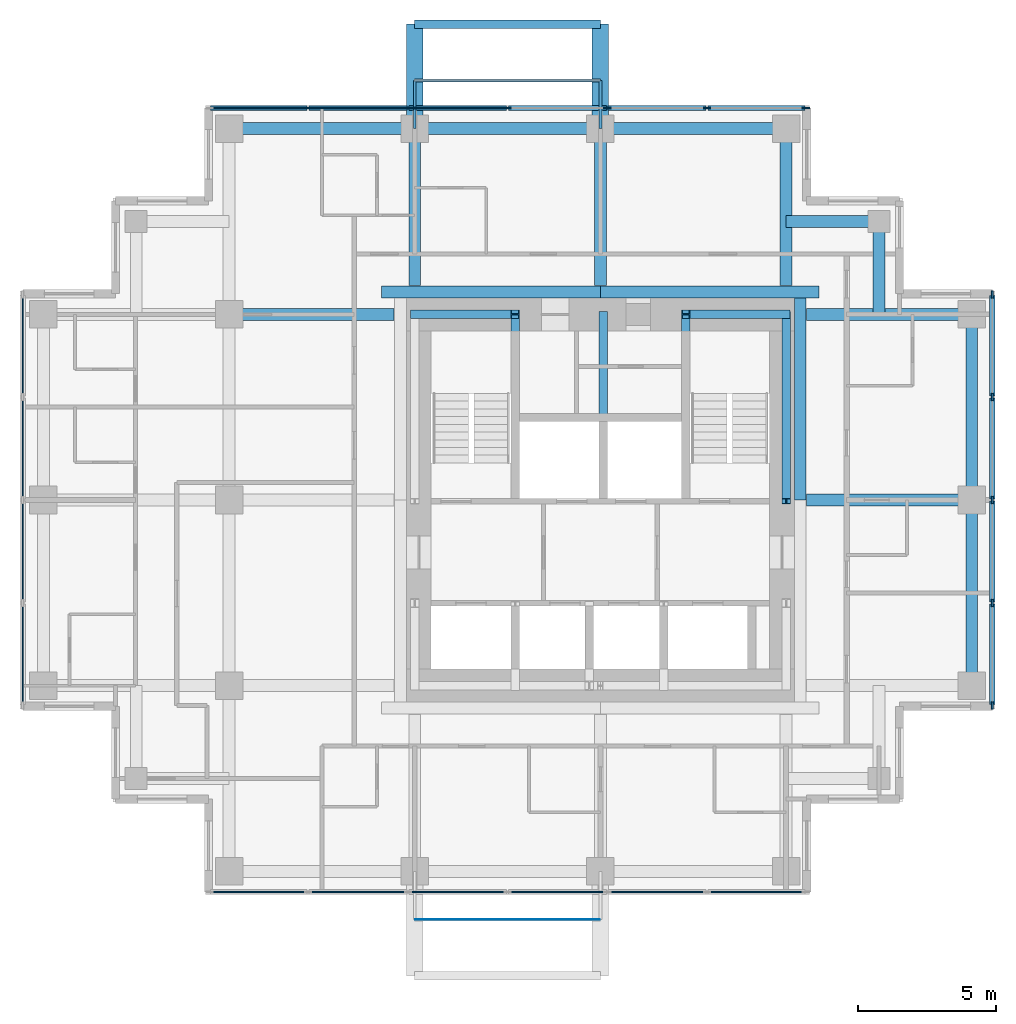
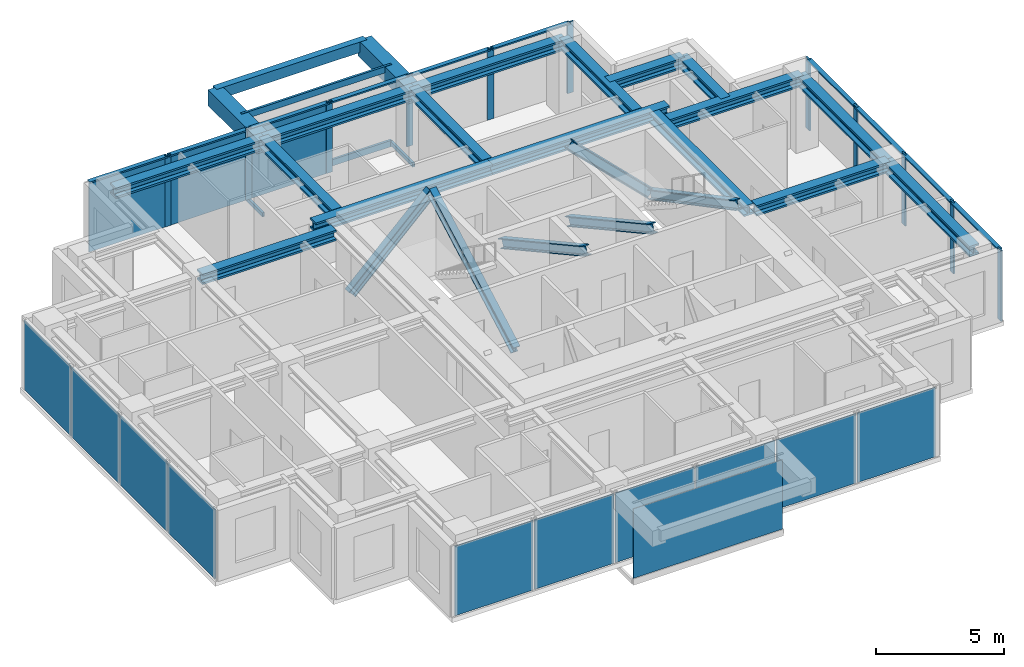
# One storey, part 2 of 8: 31 members, 19 beams, 14 plates, 4 elements without a shape of their own.
"""IFC4 building model written with IfcOpenShell, lengths in metres."""

from ifc_helpers import new_model, si_unit, direction, frame, origin, origin_2d, place, context, subcontext, project, spatial, rectangle, hollow_rectangle, i_section, extrude, material, layer, layer_set, material_profile, profile_set, type_object, element, aggregate, save


model = new_model("IFC4")

# Units and contexts
model_context = context("Model", 3, precision=1e-05, world=origin(), true_north=direction((0.0, 1.0)))
body_context = subcontext(model_context, "Body", "Model", "MODEL_VIEW")
ifc_project = project(units=[si_unit("LENGTHUNIT", "METRE"), si_unit("AREAUNIT", "SQUARE_METRE"), si_unit("VOLUMEUNIT", "CUBIC_METRE"), si_unit("PLANEANGLEUNIT", "RADIAN"), si_unit("MASSUNIT", "GRAM", prefix="KILO")], contexts=[model_context])

# Site, building, storey
site_placement = place(None, origin())
site = spatial("IfcSite", under=ifc_project, at=site_placement, CompositionType="ELEMENT")
building_placement = place(site_placement, origin())
building = spatial("IfcBuilding", under=site, at=building_placement, Name="Nyansa Garden Tower", CompositionType="ELEMENT")
storey_placement = place(building_placement, frame((0.0, 0.0, 229.5)))
storey = spatial("IfcBuildingStorey", under=building, at=storey_placement, Name="L62", CompositionType="ELEMENT", Elevation=229.5)

# Beams
ifc_material_1 = material(Name="Concrete C70/85", Category="concrete")
ifc_material_profile_1 = material_profile(ifc_material_1, rectangle(XDim=0.60009765625, YDim=0.75, at=origin_2d()), Name="RC 600x750")
ifc_profile_set_1 = profile_set([ifc_material_profile_1], Name="Concrete C70/85")
beam_type_1 = type_object("IfcBeamType", Name="Balcony cantilever beam CB1 RC 600x750", PredefinedType="BEAM", material=ifc_profile_set_1)
for number, where, z_axis, x_axis, name in (
    (1, (13.5, 33.75, 2.985107421875), (0.0, 1.0, 0.0), (-1.0, 0.0, 0.0), "Balcony cantilever beam L63"),
    (2, (20.25, 33.75, 2.985107421875), (0.0, 1.0, 0.0), (-1.0, 0.0, 0.0), "Balcony cantilever beam L63"),
):
    element("IfcBeam", number, at=place(storey_placement, frame(where, z_axis=z_axis, x_axis=x_axis)), inside=storey, type_object=beam_type_1, Name=name, PredefinedType="BEAM", context=body_context, shape_type="SweptSolid", body=[
        extrude(rectangle(XDim=0.60009765625, YDim=0.75, at=origin_2d()), origin(), (0.0, 0.0, 1.0), 3.800048828125),
    ])
ifc_material_2 = material(Name="Concrete C70/85", Category="concrete")
ifc_material_profile_2 = material_profile(ifc_material_2, rectangle(XDim=0.300048828125, YDim=0.5, at=origin_2d()), Name="RC 300x500")
ifc_profile_set_2 = profile_set([ifc_material_profile_2], Name="Concrete C70/85")
beam_type_2 = type_object("IfcBeamType", Name="Balcony edge beam BE1 RC 300x500", PredefinedType="BEAM", material=ifc_profile_set_2)
beam_1_placement = place(storey_placement, frame((13.5, 37.550048828125, 3.110107421875), z_axis=(1.0, 0.0, 0.0), x_axis=(0.0, 1.0, 0.0)))
element("IfcBeam", 3, at=beam_1_placement, inside=storey, type_object=beam_type_2, Name="Balcony edge beam L63", PredefinedType="BEAM", context=body_context, shape_type="SweptSolid", body=[
    extrude(rectangle(XDim=0.300048828125, YDim=0.5, at=origin_2d()), origin(), (0.0, 0.0, 1.0), 6.75),
])

# Curtain wall, members
ifc_material_3 = material(Name="Black anodised aluminium, dark tinted double glazing", Category="aluminium")
curtain_wall_type = type_object("IfcCurtainWallType", Name="Inner skin curtain wall ISW-D", PredefinedType="USERDEFINED", material=ifc_material_3)
curtain_wall_1_placement = place(storey_placement, origin())
curtain_wall_1 = element("IfcCurtainWall", 4, at=curtain_wall_1_placement, inside=storey, type_object=curtain_wall_type, Name="Inner skin curtain wall L62 E", ObjectType="UNITISED CURTAIN WALL", PredefinedType="USERDEFINED")
ifc_material_4 = material(Name="Black anodised aluminium", Category="aluminium")
ifc_material_profile_3 = material_profile(ifc_material_4, rectangle(XDim=0.070068359375, YDim=0.27490234375, at=origin_2d()), Name="Mullion 275x70")
ifc_profile_set_3 = profile_set([ifc_material_profile_3], Name="Black anodised aluminium")
member_type_1 = type_object("IfcMemberType", Name="Mullion ISW-D 275x70", PredefinedType="MULLION", material=ifc_profile_set_3)
member_1_placement = place(storey_placement, frame((34.5, 12.784912109375, 0.0), z_axis=(0.0, 0.0, 1.0), x_axis=(-1.0, 0.0, 0.0)))
member_1 = element("IfcMember", 5, at=member_1_placement, type_object=member_type_1, Name="ISW-D mullion 1", PredefinedType="MULLION", context=body_context, shape_type="SweptSolid", body=[
    extrude(rectangle(XDim=0.070068359375, YDim=0.27490234375, at=origin_2d()), origin(), (0.0, 0.0, 1.0), 3.375),
])
member_2_placement = place(storey_placement, frame((34.5, 16.5, 0.0), z_axis=(0.0, 0.0, 1.0), x_axis=(-1.0, 0.0, 0.0)))
member_2 = element("IfcMember", 6, at=member_2_placement, type_object=member_type_1, Name="ISW-D mullion 2", PredefinedType="MULLION", context=body_context, shape_type="SweptSolid", body=[
    extrude(rectangle(XDim=0.070068359375, YDim=0.27490234375, at=origin_2d()), origin(), (0.0, 0.0, 1.0), 3.375),
])
member_3_placement = place(storey_placement, frame((34.5, 20.25, 0.0), z_axis=(0.0, 0.0, 1.0), x_axis=(-1.0, 0.0, 0.0)))
member_3 = element("IfcMember", 7, at=member_3_placement, type_object=member_type_1, Name="ISW-D mullion 3", PredefinedType="MULLION", context=body_context, shape_type="SweptSolid", body=[
    extrude(rectangle(XDim=0.070068359375, YDim=0.27490234375, at=origin_2d()), origin(), (0.0, 0.0, 1.0), 3.375),
])
member_4_placement = place(storey_placement, frame((34.5, 24.0, 0.0), z_axis=(0.0, 0.0, 1.0), x_axis=(-1.0, 0.0, 0.0)))
member_4 = element("IfcMember", 8, at=member_4_placement, type_object=member_type_1, Name="ISW-D mullion 4", PredefinedType="MULLION", context=body_context, shape_type="SweptSolid", body=[
    extrude(rectangle(XDim=0.070068359375, YDim=0.27490234375, at=origin_2d()), origin(), (0.0, 0.0, 1.0), 3.375),
])
member_5_placement = place(storey_placement, frame((34.5, 27.715087890625, 0.0), z_axis=(0.0, 0.0, 1.0), x_axis=(-1.0, 0.0, 0.0)))
member_5 = element("IfcMember", 9, at=member_5_placement, type_object=member_type_1, Name="ISW-D mullion 5", PredefinedType="MULLION", context=body_context, shape_type="SweptSolid", body=[
    extrude(rectangle(XDim=0.070068359375, YDim=0.27490234375, at=origin_2d()), origin(), (0.0, 0.0, 1.0), 3.375),
])

curtain_wall_2_placement = place(storey_placement, origin())
curtain_wall_2 = element("IfcCurtainWall", 10, at=curtain_wall_2_placement, inside=storey, type_object=curtain_wall_type, Name="Inner skin curtain wall L62 N", ObjectType="UNITISED CURTAIN WALL", PredefinedType="USERDEFINED")
member_6_placement = place(storey_placement, frame((27.715087890625, 34.5, 0.0), z_axis=(0.0, 0.0, 1.0), x_axis=(0.0, -1.0, 0.0)))
member_6 = element("IfcMember", 11, at=member_6_placement, type_object=member_type_1, Name="ISW-D mullion 1", PredefinedType="MULLION", context=body_context, shape_type="SweptSolid", body=[
    extrude(rectangle(XDim=0.070068359375, YDim=0.27490234375, at=origin_2d()), origin(), (0.0, 0.0, 1.0), 3.375),
])
member_7_placement = place(storey_placement, frame((24.125, 34.5, 0.0), z_axis=(0.0, 0.0, 1.0), x_axis=(0.0, -1.0, 0.0)))
member_7 = element("IfcMember", 12, at=member_7_placement, type_object=member_type_1, Name="ISW-D mullion 2", PredefinedType="MULLION", context=body_context, shape_type="SweptSolid", body=[
    extrude(rectangle(XDim=0.070068359375, YDim=0.27490234375, at=origin_2d()), origin(), (0.0, 0.0, 1.0), 3.375),
])
member_8_placement = place(storey_placement, frame((20.5, 34.5, 0.0), z_axis=(0.0, 0.0, 1.0), x_axis=(0.0, -1.0, 0.0)))
member_8 = element("IfcMember", 13, at=member_8_placement, type_object=member_type_1, Name="ISW-D mullion 3", PredefinedType="MULLION", context=body_context, shape_type="SweptSolid", body=[
    extrude(rectangle(XDim=0.070068359375, YDim=0.27490234375, at=origin_2d()), origin(), (0.0, 0.0, 1.0), 3.375),
])
member_9_placement = place(storey_placement, frame((16.875, 34.5, 0.0), z_axis=(0.0, 0.0, 1.0), x_axis=(0.0, -1.0, 0.0)))
member_9 = element("IfcMember", 14, at=member_9_placement, type_object=member_type_1, Name="ISW-D mullion 4", PredefinedType="MULLION", context=body_context, shape_type="SweptSolid", body=[
    extrude(rectangle(XDim=0.070068359375, YDim=0.27490234375, at=origin_2d()), origin(), (0.0, 0.0, 1.0), 3.375),
])
member_10_placement = place(storey_placement, frame((13.25, 34.5, 0.0), z_axis=(0.0, 0.0, 1.0), x_axis=(0.0, -1.0, 0.0)))
member_10 = element("IfcMember", 15, at=member_10_placement, type_object=member_type_1, Name="ISW-D mullion 5", PredefinedType="MULLION", context=body_context, shape_type="SweptSolid", body=[
    extrude(rectangle(XDim=0.070068359375, YDim=0.27490234375, at=origin_2d()), origin(), (0.0, 0.0, 1.0), 3.375),
])
member_11_placement = place(storey_placement, frame((9.625, 34.5, 0.0), z_axis=(0.0, 0.0, 1.0), x_axis=(0.0, -1.0, 0.0)))
member_11 = element("IfcMember", 16, at=member_11_placement, type_object=member_type_1, Name="ISW-D mullion 6", PredefinedType="MULLION", context=body_context, shape_type="SweptSolid", body=[
    extrude(rectangle(XDim=0.070068359375, YDim=0.27490234375, at=origin_2d()), origin(), (0.0, 0.0, 1.0), 3.375),
])

# Members
ifc_material_5 = material(Name="Steel S355, black powder coated", Category="steel")
ifc_material_profile_4 = material_profile(ifc_material_5, hollow_rectangle(XDim=0.10009765625, YDim=0.199951171875, WallThickness=0.008056640625, at=origin_2d()), Name="RHS 200x100x8")
ifc_profile_set_4 = profile_set([ifc_material_profile_4], Name="Steel S355, black powder coated")
member_type_2 = type_object("IfcMemberType", Name="Outer skin bracket arm RHS 200x100x8", PredefinedType="USERDEFINED", material=ifc_profile_set_4)
for number, where, z_axis, x_axis, name in (
    (17, (13.5, 33.75, -0.375), (0.0, 1.0, 0.0), (-1.0, 0.0, 0.0), "Outer skin bracket arm"),
    (18, (20.25, 33.75, -0.375), (0.0, 1.0, 0.0), (-1.0, 0.0, 0.0), "Outer skin bracket arm"),
):
    element("IfcMember", number, at=place(storey_placement, frame(where, z_axis=z_axis, x_axis=x_axis)), inside=storey, type_object=member_type_2, Name=name, ObjectType="OUTER SKIN BRACKET", PredefinedType="USERDEFINED", context=body_context, shape_type="SweptSolid", body=[
        extrude(hollow_rectangle(XDim=0.10009765625, YDim=0.199951171875, WallThickness=0.008056640625, at=origin_2d()), origin(), (0.0, 0.0, 1.0), 1.75),
    ])
ifc_material_6 = material(Name="Steel S355, black powder coated", Category="steel")
ifc_material_profile_5 = material_profile(ifc_material_6, hollow_rectangle(XDim=0.10009765625, YDim=0.300048828125, WallThickness=0.010009765625, at=origin_2d()), Name="RHS 300x100x10")
ifc_profile_set_5 = profile_set([ifc_material_profile_5], Name="Steel S355, black powder coated")
member_type_3 = type_object("IfcMemberType", Name="Outer skin rail RHS 300x100x10", PredefinedType="USERDEFINED", material=ifc_profile_set_5)
for number, where, z_axis, x_axis, name in (
    (19, (13.5, 35.5, -0.375), (1.0, 0.0, 0.0), (0.0, 1.0, 0.0), "Outer skin rail L62"),
    (20, (13.5, 35.5, 3.22509765625), (1.0, 0.0, 0.0), (0.0, 1.0, 0.0), "Outer skin rail L62 head"),
):
    element("IfcMember", number, at=place(storey_placement, frame(where, z_axis=z_axis, x_axis=x_axis)), inside=storey, type_object=member_type_3, Name=name, ObjectType="OUTER SKIN RAIL", PredefinedType="USERDEFINED", context=body_context, shape_type="SweptSolid", body=[
        extrude(hollow_rectangle(XDim=0.10009765625, YDim=0.300048828125, WallThickness=0.010009765625, at=origin_2d()), origin(), (0.0, 0.0, 1.0), 6.75),
    ])
ifc_material_7 = material(Name="Steel S355", Category="steel")
ifc_material_profile_6 = material_profile(ifc_material_7, i_section(OverallWidth=0.306884765625, OverallDepth=0.431884765625, WebThickness=0.02099609375, FlangeThickness=0.0400390625, FilletRadius=0.027099609375, at=origin_2d()), Name="HE 400 M")
ifc_profile_set_6 = profile_set([ifc_material_profile_6], Name="Steel S355")
member_type_4 = type_object("IfcMemberType", Name="Perimeter brace HE 400 M", PredefinedType="BRACE", material=ifc_profile_set_6)
for number, where, z_axis, x_axis, name in (
    (21, (13.5, 27.0, 0.0), (0.711947531702, 0.0, 0.702232662373), (0.0, 1.0, 0.0), "Core brace CN3 L62"),
    (22, (27.0, 27.0, 0.0), (-0.711947531702, 0.0, 0.702232662373), (0.0, -1.0, 0.0), "Core brace CN4 L62"),
):
    element("IfcMember", number, at=place(storey_placement, frame(where, z_axis=z_axis, x_axis=x_axis)), inside=storey, type_object=member_type_4, Name=name, PredefinedType="BRACE", context=body_context, shape_type="SweptSolid", body=[
        extrude(i_section(OverallWidth=0.306884765625, OverallDepth=0.431884765625, WebThickness=0.02099609375, FlangeThickness=0.0400390625, FilletRadius=0.027099609375, at=origin_2d()), origin(), (0.0, 0.0, 1.0), 5.126708984375),
    ])
member_12_placement = place(storey_placement, frame((27.0, 27.0, 0.0), z_axis=(0.0, -0.883784057226, 0.467895009796), x_axis=(1.0, 0.0, 0.0)))
element("IfcMember", 23, at=member_12_placement, inside=storey, type_object=member_type_4, Name="Core brace CE8 L62", PredefinedType="BRACE", context=body_context, shape_type="SweptSolid", body=[
    extrude(i_section(OverallWidth=0.306884765625, OverallDepth=0.431884765625, WebThickness=0.02099609375, FlangeThickness=0.0400390625, FilletRadius=0.027099609375, at=origin_2d()), origin(), (0.0, 0.0, 1.0), 7.6943359375),
])
for number, where, z_axis, x_axis, name in (
    (24, (17.14990234375, 20.449951171875, 0.0), (0.0, 0.876353113771, 0.481669201822), (-1.0, 0.0, 0.0), "Core brace CWS9 L62"),
    (25, (23.35009765625, 27.0, 0.0), (0.0, -0.876353113771, 0.481669201822), (1.0, 0.0, 0.0), "Core brace CES10 L62"),
    (26, (20.35009765625, 27.0, 0.0), (0.0, -0.876353113771, 0.481669201822), (1.0, 0.0, 0.0), "Core brace CNW14 L62"),
):
    element("IfcMember", number, at=place(storey_placement, frame(where, z_axis=z_axis, x_axis=x_axis)), inside=storey, type_object=member_type_4, Name=name, PredefinedType="BRACE", context=body_context, shape_type="SweptSolid", body=[
        extrude(i_section(OverallWidth=0.306884765625, OverallDepth=0.431884765625, WebThickness=0.02099609375, FlangeThickness=0.0400390625, FilletRadius=0.027099609375, at=origin_2d()), origin(), (0.0, 0.0, 1.0), 7.47412109375),
    ])

# Beams
ifc_material_8 = material(Name="Steel S355", Category="steel")
ifc_material_profile_7 = material_profile(ifc_material_8, i_section(OverallWidth=0.431884765625, OverallDepth=0.498046875, WebThickness=0.0556640625, FlangeThickness=0.0888671875, FilletRadius=0.014892578125, at=origin_2d()), Name="HD 400x744")
ifc_profile_set_7 = profile_set([ifc_material_profile_7], Name="Steel S355")
beam_type_3 = type_object("IfcBeamType", Name="Steel beam SBD1-744 HD 400x744", PredefinedType="BEAM", material=ifc_profile_set_7)
beam_2_placement = place(storey_placement, frame((6.75, 27.0, 3.1259765625), z_axis=(1.0, 0.0, 0.0), x_axis=(0.0, 1.0, 0.0)))
element("IfcBeam", 27, at=beam_2_placement, inside=storey, type_object=beam_type_3, Name="Steel beam 3/H-12.750/H L63", PredefinedType="BEAM", context=body_context, shape_type="SweptSolid", body=[
    extrude(i_section(OverallWidth=0.431884765625, OverallDepth=0.498046875, WebThickness=0.0556640625, FlangeThickness=0.0888671875, FilletRadius=0.014892578125, at=origin_2d()), origin(), (0.0, 0.0, 1.0), 6.0),
])
for number, where, z_axis, x_axis, name in (
    (28, (13.5, 28.050048828125, 3.1259765625), (0.0, 1.0, 0.0), (-1.0, 0.0, 0.0), "Steel beam 4/28.050-4/J L63"),
    (29, (20.25, 28.050048828125, 3.1259765625), (0.0, 1.0, 0.0), (-1.0, 0.0, 0.0), "Steel beam 5/28.050-5/J L63"),
):
    element("IfcBeam", number, at=place(storey_placement, frame(where, z_axis=z_axis, x_axis=x_axis)), inside=storey, type_object=beam_type_3, Name=name, PredefinedType="BEAM", context=body_context, shape_type="SweptSolid", body=[
        extrude(i_section(OverallWidth=0.431884765625, OverallDepth=0.498046875, WebThickness=0.0556640625, FlangeThickness=0.0888671875, FilletRadius=0.014892578125, at=origin_2d()), origin(), (0.0, 0.0, 1.0), 5.699951171875),
    ])
beam_3_placement = place(storey_placement, frame((27.75, 20.25, 3.1259765625), z_axis=(1.0, 0.0, 0.0), x_axis=(0.0, 1.0, 0.0)))
element("IfcBeam", 30, at=beam_3_placement, inside=storey, type_object=beam_type_3, Name="Steel beam 27.750/G-7/G L63", PredefinedType="BEAM", context=body_context, shape_type="SweptSolid", body=[
    extrude(i_section(OverallWidth=0.431884765625, OverallDepth=0.498046875, WebThickness=0.0556640625, FlangeThickness=0.0888671875, FilletRadius=0.014892578125, at=origin_2d()), origin(), (0.0, 0.0, 1.0), 6.0),
])
beam_4_placement = place(storey_placement, frame((27.0, 28.050048828125, 3.1259765625), z_axis=(0.0, 1.0, 0.0), x_axis=(-1.0, 0.0, 0.0)))
element("IfcBeam", 31, at=beam_4_placement, inside=storey, type_object=beam_type_3, Name="Steel beam 6/28.050-6/J L63", PredefinedType="BEAM", context=body_context, shape_type="SweptSolid", body=[
    extrude(i_section(OverallWidth=0.431884765625, OverallDepth=0.498046875, WebThickness=0.0556640625, FlangeThickness=0.0888671875, FilletRadius=0.014892578125, at=origin_2d()), origin(), (0.0, 0.0, 1.0), 5.699951171875),
])
beam_5_placement = place(storey_placement, frame((27.75, 27.0, 3.1259765625), z_axis=(1.0, 0.0, 0.0), x_axis=(0.0, 1.0, 0.0)))
element("IfcBeam", 32, at=beam_5_placement, inside=storey, type_object=beam_type_3, Name="Steel beam 27.750/H-7/H L63", PredefinedType="BEAM", context=body_context, shape_type="SweptSolid", body=[
    extrude(i_section(OverallWidth=0.431884765625, OverallDepth=0.498046875, WebThickness=0.0556640625, FlangeThickness=0.0888671875, FilletRadius=0.014892578125, at=origin_2d()), origin(), (0.0, 0.0, 1.0), 6.0),
])
ifc_material_9 = material(Name="Steel S355", Category="steel")
ifc_material_profile_8 = material_profile(ifc_material_9, i_section(OverallWidth=0.431884765625, OverallDepth=0.498046875, WebThickness=0.0556640625, FlangeThickness=0.0888671875, FilletRadius=0.014892578125, at=origin_2d()), Name="HD 400x744")
ifc_profile_set_8 = profile_set([ifc_material_profile_8], Name="Steel S355")
beam_type_4 = type_object("IfcBeamType", Name="Steel beam SEBD-744 HD 400x744", PredefinedType="BEAM", material=ifc_profile_set_8)
for number, where, z_axis, x_axis, name in (
    (33, (6.75, 33.75, 3.1259765625), (1.0, 0.0, 0.0), (0.0, 1.0, 0.0), "Steel edge beam 3/J-4/J L63"),
    (34, (13.5, 33.75, 3.1259765625), (1.0, 0.0, 0.0), (0.0, 1.0, 0.0), "Steel edge beam 4/J-5/J L63"),
    (35, (20.25, 33.75, 3.1259765625), (1.0, 0.0, 0.0), (0.0, 1.0, 0.0), "Steel edge beam 5/J-6/J L63"),
    (36, (33.75, 13.5, 3.1259765625), (0.0, 1.0, 0.0), (-1.0, 0.0, 0.0), "Steel edge beam 7/F-7/G L63"),
    (37, (33.75, 20.25, 3.1259765625), (0.0, 1.0, 0.0), (-1.0, 0.0, 0.0), "Steel edge beam 7/G-7/H L63"),
):
    element("IfcBeam", number, at=place(storey_placement, frame(where, z_axis=z_axis, x_axis=x_axis)), inside=storey, type_object=beam_type_4, Name=name, PredefinedType="BEAM", context=body_context, shape_type="SweptSolid", body=[
        extrude(i_section(OverallWidth=0.431884765625, OverallDepth=0.498046875, WebThickness=0.0556640625, FlangeThickness=0.0888671875, FilletRadius=0.014892578125, at=origin_2d()), origin(), (0.0, 0.0, 1.0), 6.75),
    ])
ifc_material_10 = material(Name="Steel S355", Category="steel")
ifc_material_profile_9 = material_profile(ifc_material_10, i_section(OverallWidth=0.431884765625, OverallDepth=0.498046875, WebThickness=0.0556640625, FlangeThickness=0.0888671875, FilletRadius=0.014892578125, at=origin_2d()), Name="HD 400x744")
ifc_profile_set_9 = profile_set([ifc_material_profile_9], Name="Steel S355")
beam_type_5 = type_object("IfcBeamType", Name="Steel beam SLB1-744 HD 400x744", PredefinedType="BEAM", material=ifc_profile_set_9)
beam_6_placement = place(storey_placement, frame((27.51611328125, 20.25, 3.1259765625), z_axis=(0.0, 1.0, 0.0), x_axis=(-1.0, 0.0, 0.0)))
element("IfcBeam", 38, at=beam_6_placement, inside=storey, type_object=beam_type_5, Name="Steel core ledger beam E.2 L63", PredefinedType="BEAM", context=body_context, shape_type="SweptSolid", body=[
    extrude(i_section(OverallWidth=0.431884765625, OverallDepth=0.498046875, WebThickness=0.0556640625, FlangeThickness=0.0888671875, FilletRadius=0.014892578125, at=origin_2d()), origin(), (0.0, 0.0, 1.0), 7.35009765625),
])
for number, where, z_axis, x_axis, name in (
    (39, (28.199951171875, 27.81591796875, 3.1259765625), (-1.0, 0.0, 0.0), (0.0, -1.0, 0.0), "Steel core ledger beam N.1 L63"),
    (40, (20.25, 27.81591796875, 3.1259765625), (-1.0, 0.0, 0.0), (0.0, -1.0, 0.0), "Steel core ledger beam N.2 L63"),
):
    element("IfcBeam", number, at=place(storey_placement, frame(where, z_axis=z_axis, x_axis=x_axis)), inside=storey, type_object=beam_type_5, Name=name, PredefinedType="BEAM", context=body_context, shape_type="SweptSolid", body=[
        extrude(i_section(OverallWidth=0.431884765625, OverallDepth=0.498046875, WebThickness=0.0556640625, FlangeThickness=0.0888671875, FilletRadius=0.014892578125, at=origin_2d()), origin(), (0.0, 0.0, 1.0), 7.949951171875),
    ])
ifc_material_11 = material(Name="Steel S355", Category="steel")
ifc_material_profile_10 = material_profile(ifc_material_11, i_section(OverallWidth=0.431884765625, OverallDepth=0.498046875, WebThickness=0.0556640625, FlangeThickness=0.0888671875, FilletRadius=0.014892578125, at=origin_2d()), Name="HD 400x744")
ifc_profile_set_10 = profile_set([ifc_material_profile_10], Name="Steel S355")
beam_type_6 = type_object("IfcBeamType", Name="Steel beam SSB1-744 HD 400x744", PredefinedType="BEAM", material=ifc_profile_set_10)
for number, where, z_axis, x_axis, name in (
    (41, (30.375, 30.375, 3.1259765625), (0.0, -1.0, 0.0), (1.0, 0.0, 0.0), "Steel step beam 30.375/30.375 L63"),
    (42, (30.375, 30.375, 3.1259765625), (-1.0, 0.0, 0.0), (0.0, -1.0, 0.0), "Steel step beam 30.375/30.375 L63"),
):
    element("IfcBeam", number, at=place(storey_placement, frame(where, z_axis=z_axis, x_axis=x_axis)), inside=storey, type_object=beam_type_6, Name=name, PredefinedType="BEAM", context=body_context, shape_type="SweptSolid", body=[
        extrude(i_section(OverallWidth=0.431884765625, OverallDepth=0.498046875, WebThickness=0.0556640625, FlangeThickness=0.0888671875, FilletRadius=0.014892578125, at=origin_2d()), origin(), (0.0, 0.0, 1.0), 3.375),
    ])

# Member
ifc_material_12 = material(Name="Black anodised aluminium", Category="aluminium")
ifc_material_profile_11 = material_profile(ifc_material_12, rectangle(XDim=0.195068359375, YDim=0.070068359375, at=origin_2d()), Name="Transom 195x70")
ifc_profile_set_11 = profile_set([ifc_material_profile_11], Name="Black anodised aluminium")
member_type_5 = type_object("IfcMemberType", Name="Transom ISW-D 195x70", PredefinedType="USERDEFINED", material=ifc_profile_set_11)
member_13_placement = place(storey_placement, frame((34.5, 12.820068359375, 3.340087890625), z_axis=(0.0, 1.0, 0.0), x_axis=(-1.0, 0.0, 0.0)))
member_13 = element("IfcMember", 43, at=member_13_placement, type_object=member_type_5, Name="ISW-D transom 1", ObjectType="TRANSOM", PredefinedType="USERDEFINED", context=body_context, shape_type="SweptSolid", body=[
    extrude(rectangle(XDim=0.195068359375, YDim=0.070068359375, at=origin_2d()), origin(), (0.0, 0.0, 1.0), 3.64501953125),
])

member_14_placement = place(storey_placement, frame((34.5, 16.534912109375, 3.340087890625), z_axis=(0.0, 1.0, 0.0), x_axis=(-1.0, 0.0, 0.0)))
member_14 = element("IfcMember", 44, at=member_14_placement, type_object=member_type_5, Name="ISW-D transom 2", ObjectType="TRANSOM", PredefinedType="USERDEFINED", context=body_context, shape_type="SweptSolid", body=[
    extrude(rectangle(XDim=0.195068359375, YDim=0.070068359375, at=origin_2d()), origin(), (0.0, 0.0, 1.0), 3.68017578125),
])

member_15_placement = place(storey_placement, frame((34.5, 20.284912109375, 3.340087890625), z_axis=(0.0, 1.0, 0.0), x_axis=(-1.0, 0.0, 0.0)))
member_15 = element("IfcMember", 45, at=member_15_placement, type_object=member_type_5, Name="ISW-D transom 3", ObjectType="TRANSOM", PredefinedType="USERDEFINED", context=body_context, shape_type="SweptSolid", body=[
    extrude(rectangle(XDim=0.195068359375, YDim=0.070068359375, at=origin_2d()), origin(), (0.0, 0.0, 1.0), 3.68017578125),
])

member_16_placement = place(storey_placement, frame((34.5, 24.034912109375, 3.340087890625), z_axis=(0.0, 1.0, 0.0), x_axis=(-1.0, 0.0, 0.0)))
member_16 = element("IfcMember", 46, at=member_16_placement, type_object=member_type_5, Name="ISW-D transom 4", ObjectType="TRANSOM", PredefinedType="USERDEFINED", context=body_context, shape_type="SweptSolid", body=[
    extrude(rectangle(XDim=0.195068359375, YDim=0.070068359375, at=origin_2d()), origin(), (0.0, 0.0, 1.0), 3.64501953125),
])

aggregate(curtain_wall_1, [member_1, member_2, member_3, member_4, member_5, member_13, member_14, member_15, member_16])

member_17_placement = place(storey_placement, frame((27.679931640625, 34.5, 3.340087890625), z_axis=(-1.0, 0.0, 0.0), x_axis=(0.0, -1.0, 0.0)))
member_17 = element("IfcMember", 47, at=member_17_placement, type_object=member_type_5, Name="ISW-D transom 1", ObjectType="TRANSOM", PredefinedType="USERDEFINED", context=body_context, shape_type="SweptSolid", body=[
    extrude(rectangle(XDim=0.195068359375, YDim=0.070068359375, at=origin_2d()), origin(), (0.0, 0.0, 1.0), 3.52001953125),
])

member_18_placement = place(storey_placement, frame((24.090087890625, 34.5, 3.340087890625), z_axis=(-1.0, 0.0, 0.0), x_axis=(0.0, -1.0, 0.0)))
member_18 = element("IfcMember", 48, at=member_18_placement, type_object=member_type_5, Name="ISW-D transom 2", ObjectType="TRANSOM", PredefinedType="USERDEFINED", context=body_context, shape_type="SweptSolid", body=[
    extrude(rectangle(XDim=0.195068359375, YDim=0.070068359375, at=origin_2d()), origin(), (0.0, 0.0, 1.0), 3.55517578125),
])

member_19_placement = place(storey_placement, frame((20.465087890625, 34.5, 3.340087890625), z_axis=(-1.0, 0.0, 0.0), x_axis=(0.0, -1.0, 0.0)))
member_19 = element("IfcMember", 49, at=member_19_placement, type_object=member_type_5, Name="ISW-D transom 3", ObjectType="TRANSOM", PredefinedType="USERDEFINED", context=body_context, shape_type="SweptSolid", body=[
    extrude(rectangle(XDim=0.195068359375, YDim=0.070068359375, at=origin_2d()), origin(), (0.0, 0.0, 1.0), 3.55517578125),
])

member_20_placement = place(storey_placement, frame((16.840087890625, 34.5, 3.340087890625), z_axis=(-1.0, 0.0, 0.0), x_axis=(0.0, -1.0, 0.0)))
member_20 = element("IfcMember", 50, at=member_20_placement, type_object=member_type_5, Name="ISW-D transom 4", ObjectType="TRANSOM", PredefinedType="USERDEFINED", context=body_context, shape_type="SweptSolid", body=[
    extrude(rectangle(XDim=0.195068359375, YDim=0.070068359375, at=origin_2d()), origin(), (0.0, 0.0, 1.0), 3.55517578125),
])

member_21_placement = place(storey_placement, frame((13.215087890625, 34.5, 3.340087890625), z_axis=(-1.0, 0.0, 0.0), x_axis=(0.0, -1.0, 0.0)))
member_21 = element("IfcMember", 51, at=member_21_placement, type_object=member_type_5, Name="ISW-D transom 5", ObjectType="TRANSOM", PredefinedType="USERDEFINED", context=body_context, shape_type="SweptSolid", body=[
    extrude(rectangle(XDim=0.195068359375, YDim=0.070068359375, at=origin_2d()), origin(), (0.0, 0.0, 1.0), 3.55517578125),
])

member_22_placement = place(storey_placement, frame((9.590087890625, 34.5, 3.340087890625), z_axis=(-1.0, 0.0, 0.0), x_axis=(0.0, -1.0, 0.0)))
member_22 = element("IfcMember", 52, at=member_22_placement, type_object=member_type_5, Name="ISW-D transom 6", ObjectType="TRANSOM", PredefinedType="USERDEFINED", context=body_context, shape_type="SweptSolid", body=[
    extrude(rectangle(XDim=0.195068359375, YDim=0.070068359375, at=origin_2d()), origin(), (0.0, 0.0, 1.0), 3.52001953125),
])

# Plate
ifc_material_13 = material(Name="Dark tinted laminated double glazing", Category="glass")
ifc_layer_1 = layer(ifc_material_13, 0.0439453125)
ifc_layer_set_1 = layer_set([ifc_layer_1], Name="Dark tinted vision panel VP-D")
plate_type_1 = type_object("IfcPlateType", Name="Dark tinted vision panel VP-D", PredefinedType="CURTAIN_PANEL", material=ifc_layer_set_1)
plate_1_placement = place(storey_placement, frame((15.0625, 34.5, 0.0), z_axis=(0.0, 0.0, 1.0), x_axis=(-1.0, 0.0, 0.0)))
plate_1 = element("IfcPlate", 53, at=plate_1_placement, type_object=plate_type_1, Name="ISW-D panel 4", PredefinedType="CURTAIN_PANEL", context=body_context, shape_type="SweptSolid", body=[
    extrude(rectangle(XDim=3.554931640625, YDim=0.0439453125, at=origin_2d()), origin(), (0.0, 0.0, 1.0), 3.304931640625),
])

plate_2_placement = place(storey_placement, frame((11.4375, 34.5, 0.0), z_axis=(0.0, 0.0, 1.0), x_axis=(-1.0, 0.0, 0.0)))
plate_2 = element("IfcPlate", 54, at=plate_2_placement, type_object=plate_type_1, Name="ISW-D panel 5", PredefinedType="CURTAIN_PANEL", context=body_context, shape_type="SweptSolid", body=[
    extrude(rectangle(XDim=3.554931640625, YDim=0.0439453125, at=origin_2d()), origin(), (0.0, 0.0, 1.0), 3.304931640625),
])

plate_3_placement = place(storey_placement, frame((7.830078125, 34.5, 0.0), z_axis=(0.0, 0.0, 1.0), x_axis=(-1.0, 0.0, 0.0)))
plate_3 = element("IfcPlate", 55, at=plate_3_placement, type_object=plate_type_1, Name="ISW-D panel 6", PredefinedType="CURTAIN_PANEL", context=body_context, shape_type="SweptSolid", body=[
    extrude(rectangle(XDim=3.52001953125, YDim=0.0439453125, at=origin_2d()), origin(), (0.0, 0.0, 1.0), 3.304931640625),
])

aggregate(curtain_wall_2, [member_6, member_7, member_8, member_9, member_10, member_11, member_17, member_18, member_19, member_20, plate_1, member_21, plate_2, member_22, plate_3])

# Curtain wall, plates
curtain_wall_3_placement = place(storey_placement, origin())
curtain_wall_3 = element("IfcCurtainWall", 56, at=curtain_wall_3_placement, inside=storey, type_object=curtain_wall_type, Name="Inner skin curtain wall L62 W", ObjectType="UNITISED CURTAIN WALL", PredefinedType="USERDEFINED")
plate_4_placement = place(storey_placement, frame((-0.75, 25.857421875, 0.0), z_axis=(0.0, 0.0, 1.0), x_axis=(0.0, -1.0, 0.0)))
plate_4 = element("IfcPlate", 57, at=plate_4_placement, type_object=plate_type_1, Name="ISW-D panel 1", PredefinedType="CURTAIN_PANEL", context=body_context, shape_type="SweptSolid", body=[
    extrude(rectangle(XDim=3.64501953125, YDim=0.0439453125, at=origin_2d()), origin(), (0.0, 0.0, 1.0), 3.304931640625),
])
plate_5_placement = place(storey_placement, frame((-0.75, 22.125, 0.0), z_axis=(0.0, 0.0, 1.0), x_axis=(0.0, -1.0, 0.0)))
plate_5 = element("IfcPlate", 58, at=plate_5_placement, type_object=plate_type_1, Name="ISW-D panel 2", PredefinedType="CURTAIN_PANEL", context=body_context, shape_type="SweptSolid", body=[
    extrude(rectangle(XDim=3.679931640625, YDim=0.0439453125, at=origin_2d()), origin(), (0.0, 0.0, 1.0), 3.304931640625),
])
plate_6_placement = place(storey_placement, frame((-0.75, 18.375, 0.0), z_axis=(0.0, 0.0, 1.0), x_axis=(0.0, -1.0, 0.0)))
plate_6 = element("IfcPlate", 59, at=plate_6_placement, type_object=plate_type_1, Name="ISW-D panel 3", PredefinedType="CURTAIN_PANEL", context=body_context, shape_type="SweptSolid", body=[
    extrude(rectangle(XDim=3.679931640625, YDim=0.0439453125, at=origin_2d()), origin(), (0.0, 0.0, 1.0), 3.304931640625),
])
plate_7_placement = place(storey_placement, frame((-0.75, 14.642578125, 0.0), z_axis=(0.0, 0.0, 1.0), x_axis=(0.0, -1.0, 0.0)))
plate_7 = element("IfcPlate", 60, at=plate_7_placement, type_object=plate_type_1, Name="ISW-D panel 4", PredefinedType="CURTAIN_PANEL", context=body_context, shape_type="SweptSolid", body=[
    extrude(rectangle(XDim=3.64501953125, YDim=0.0439453125, at=origin_2d()), origin(), (0.0, 0.0, 1.0), 3.304931640625),
])
aggregate(curtain_wall_3, [plate_4, plate_5, plate_6, plate_7])

curtain_wall_4_placement = place(storey_placement, origin())
curtain_wall_4 = element("IfcCurtainWall", 61, at=curtain_wall_4_placement, inside=storey, type_object=curtain_wall_type, Name="Inner skin curtain wall L62 S", ObjectType="UNITISED CURTAIN WALL", PredefinedType="USERDEFINED")
plate_8_placement = place(storey_placement, frame((7.830078125, 6.0, 0.0), z_axis=(0.0, 0.0, 1.0), x_axis=(1.0, 0.0, 0.0)))
plate_8 = element("IfcPlate", 62, at=plate_8_placement, type_object=plate_type_1, Name="ISW-D panel 1", PredefinedType="CURTAIN_PANEL", context=body_context, shape_type="SweptSolid", body=[
    extrude(rectangle(XDim=3.52001953125, YDim=0.0439453125, at=origin_2d()), origin(), (0.0, 0.0, 1.0), 3.304931640625),
])
plate_9_placement = place(storey_placement, frame((11.4375, 6.0, 0.0), z_axis=(0.0, 0.0, 1.0), x_axis=(1.0, 0.0, 0.0)))
plate_9 = element("IfcPlate", 63, at=plate_9_placement, type_object=plate_type_1, Name="ISW-D panel 2", PredefinedType="CURTAIN_PANEL", context=body_context, shape_type="SweptSolid", body=[
    extrude(rectangle(XDim=3.554931640625, YDim=0.0439453125, at=origin_2d()), origin(), (0.0, 0.0, 1.0), 3.304931640625),
])
plate_10_placement = place(storey_placement, frame((15.0625, 6.0, 0.0), z_axis=(0.0, 0.0, 1.0), x_axis=(1.0, 0.0, 0.0)))
plate_10 = element("IfcPlate", 64, at=plate_10_placement, type_object=plate_type_1, Name="ISW-D panel 3", PredefinedType="CURTAIN_PANEL", context=body_context, shape_type="SweptSolid", body=[
    extrude(rectangle(XDim=3.554931640625, YDim=0.0439453125, at=origin_2d()), origin(), (0.0, 0.0, 1.0), 3.304931640625),
])
plate_11_placement = place(storey_placement, frame((18.6875, 6.0, 0.0), z_axis=(0.0, 0.0, 1.0), x_axis=(1.0, 0.0, 0.0)))
plate_11 = element("IfcPlate", 65, at=plate_11_placement, type_object=plate_type_1, Name="ISW-D panel 4", PredefinedType="CURTAIN_PANEL", context=body_context, shape_type="SweptSolid", body=[
    extrude(rectangle(XDim=3.554931640625, YDim=0.0439453125, at=origin_2d()), origin(), (0.0, 0.0, 1.0), 3.304931640625),
])
plate_12_placement = place(storey_placement, frame((22.3125, 6.0, 0.0), z_axis=(0.0, 0.0, 1.0), x_axis=(1.0, 0.0, 0.0)))
plate_12 = element("IfcPlate", 66, at=plate_12_placement, type_object=plate_type_1, Name="ISW-D panel 5", PredefinedType="CURTAIN_PANEL", context=body_context, shape_type="SweptSolid", body=[
    extrude(rectangle(XDim=3.554931640625, YDim=0.0439453125, at=origin_2d()), origin(), (0.0, 0.0, 1.0), 3.304931640625),
])
plate_13_placement = place(storey_placement, frame((25.919921875, 6.0, 0.0), z_axis=(0.0, 0.0, 1.0), x_axis=(1.0, 0.0, 0.0)))
plate_13 = element("IfcPlate", 67, at=plate_13_placement, type_object=plate_type_1, Name="ISW-D panel 6", PredefinedType="CURTAIN_PANEL", context=body_context, shape_type="SweptSolid", body=[
    extrude(rectangle(XDim=3.52001953125, YDim=0.0439453125, at=origin_2d()), origin(), (0.0, 0.0, 1.0), 3.304931640625),
])
aggregate(curtain_wall_4, [plate_8, plate_9, plate_10, plate_11, plate_12, plate_13])

# Plate
ifc_material_14 = material(Name="Dark tinted laminated glass", Category="glass")
ifc_layer_2 = layer(ifc_material_14, 0.02392578125)
ifc_layer_set_2 = layer_set([ifc_layer_2], Name="Outer skin glass panel OS1")
plate_type_2 = type_object("IfcPlateType", Name="Outer skin glass panel OS1", PredefinedType="USERDEFINED", material=ifc_layer_set_2)
plate_14_placement = place(storey_placement, frame((16.875, 5.0, -0.22509765625), z_axis=(0.0, 0.0, 1.0), x_axis=(1.0, 0.0, 0.0)))
element("IfcPlate", 68, at=plate_14_placement, inside=storey, type_object=plate_type_2, Name="Outer skin glass panel L62", ObjectType="OUTER SKIN GLASS", PredefinedType="USERDEFINED", context=body_context, shape_type="SweptSolid", body=[
    extrude(rectangle(XDim=6.7099609375, YDim=0.02392578125, at=origin_2d()), origin(), (0.0, 0.0, 1.0), 3.300048828125),
])

save(model, "model.ifc")
